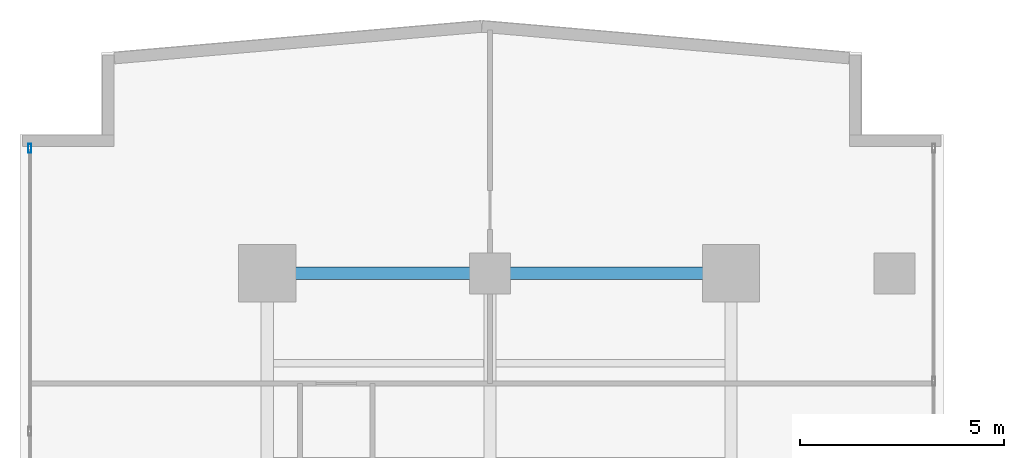
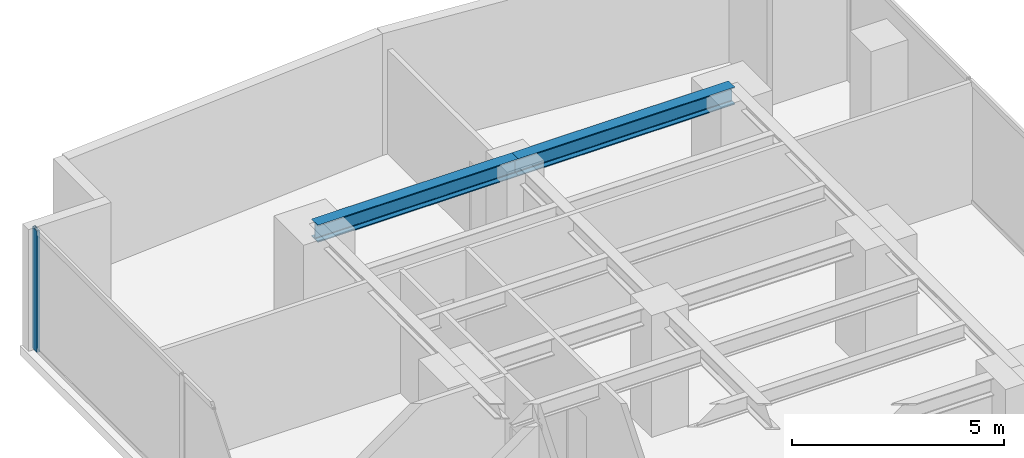
# One storey, part 16 of 25: 2 beams, 1 member, 1 element without a shape of its own.
"""IFC4 building model written with IfcOpenShell, lengths in metres."""

from ifc_helpers import new_model, si_unit, direction, frame, origin, origin_with_axes, origin_2d, place, context, subcontext, project, spatial, hollow_rectangle, i_section, extrude, source, transform, mapped, material, layer, layer_set, material_profile, profile_set, type_object, element, aggregate, save


model = new_model("IFC4")

# Units and contexts
model_context = context("Model", 3, precision=1e-05, world=origin(), true_north=direction((0.0, 1.0)))
body_context = subcontext(model_context, "Body", "Model", "MODEL_VIEW")
ifc_project = project(units=[si_unit("LENGTHUNIT", "METRE"), si_unit("AREAUNIT", "SQUARE_METRE"), si_unit("VOLUMEUNIT", "CUBIC_METRE"), si_unit("PLANEANGLEUNIT", "RADIAN"), si_unit("MASSUNIT", "GRAM", prefix="KILO")], contexts=[model_context])

# Site, building, storey
site_placement = place(None, origin())
site = spatial("IfcSite", under=ifc_project, at=site_placement, CompositionType="ELEMENT")
building_placement = place(site_placement, origin())
building = spatial("IfcBuilding", under=site, at=building_placement, Name="Kolvaren Waterfront Exchange", CompositionType="ELEMENT")
storey_placement = place(building_placement, frame((0.0, 0.0, 106.89990234375)))
storey = spatial("IfcBuildingStorey", under=building, at=storey_placement, Name="L27", CompositionType="ELEMENT", Elevation=106.89990234375)

# Beams
ifc_material_1 = material(Name="Steel S355", Category="steel")
ifc_material_profile_1 = material_profile(ifc_material_1, i_section(OverallWidth=0.300048828125, OverallDepth=0.5, WebThickness=0.014404296875, FlangeThickness=0.028076171875, FilletRadius=0.027099609375, at=origin_2d()), Name="HEB500")
ifc_profile_set_1 = profile_set([ifc_material_profile_1], Name="Steel S355")
beam_type = type_object("IfcBeamType", Name="STR-BM-HEB500", PredefinedType="BEAM", material=ifc_profile_set_1)
beam_1_placement = place(storey_placement, frame((7.449951171875, 44.60009765625, 3.25), z_axis=(1.0, 0.0, 0.0), x_axis=(0.0, 1.0, 0.0)))
element("IfcBeam", 1, at=beam_1_placement, inside=storey, type_object=beam_type, Name="L27 north-arm girder 4A", PredefinedType="BEAM", context=body_context, shape_type="SweptSolid", body=[
    extrude(i_section(OverallWidth=0.300048828125, OverallDepth=0.5, WebThickness=0.014404296875, FlangeThickness=0.028076171875, FilletRadius=0.027099609375, at=origin_2d()), origin(), (0.0, 0.0, 1.0), 5.449951171875),
])
beam_2_placement = place(storey_placement, frame((12.89990234375, 44.60009765625, 3.25), z_axis=(1.0, 0.0, 0.0), x_axis=(0.0, 1.0, 0.0)))
element("IfcBeam", 2, at=beam_2_placement, inside=storey, type_object=beam_type, Name="L27 north-arm girder 4B", PredefinedType="BEAM", context=body_context, shape_type="SweptSolid", body=[
    extrude(i_section(OverallWidth=0.300048828125, OverallDepth=0.5, WebThickness=0.014404296875, FlangeThickness=0.028076171875, FilletRadius=0.027099609375, at=origin_2d()), origin(), (0.0, 0.0, 1.0), 5.900146484375),
])

# Curtain wall, member
ifc_material_2 = material(Name="Anodised aluminium 6063-T6", Category="aluminium")
ifc_layer = layer(ifc_material_2, 0.219970703125, Name="Anodised aluminium 6063-T6")
ifc_layer_set = layer_set([ifc_layer], Name="Anodised aluminium 6063-T6")
curtain_wall_type = type_object("IfcCurtainWallType", Name="ARC-CW-SYS2", PredefinedType="USERDEFINED", material=ifc_layer_set)
curtain_wall_placement = place(storey_placement, origin())
curtain_wall = element("IfcCurtainWall", 3, at=curtain_wall_placement, inside=storey, type_object=curtain_wall_type, Name="L27 stick curtain wall CW2 (CW-L27-W)", ObjectType="STICK CURTAIN WALL", PredefinedType="USERDEFINED")
ifc_material_profile_2 = material_profile(ifc_material_2, hollow_rectangle(XDim=0.080078125, YDim=0.219970703125, WallThickness=0.0048828125, at=origin_2d()), Name="ALU-MUL-220x80x5")
ifc_profile_set_2 = profile_set([ifc_material_profile_2], Name="Anodised aluminium 6063-T6")
member_type = type_object("IfcMemberType", Name="ARC-CWM-220", PredefinedType="MULLION", material=ifc_profile_set_2)
shared_shape = source(origin_with_axes(), body_context, "Body", "SweptSolid", [
    extrude(hollow_rectangle(XDim=0.080078125, YDim=0.219970703125, WallThickness=0.0048828125, at=origin_2d()), origin(), (0.0, 0.0, 1.0), 3.5),
])
member_placement = place(storey_placement, frame((1.639892578125, 47.659912109375, 0.0), z_axis=(0.0, 0.0, 1.0), x_axis=(-1.0, 0.0, 0.0)))
member = element("IfcMember", 4, at=member_placement, type_object=member_type, Name="CW2 mullion 7", PredefinedType="MULLION", context=body_context, shape_type="MappedRepresentation", body=[
    mapped(shared_shape, transform((0.0, 0.0, 0.0), x_axis=(1.0, 0.0, 0.0), y_axis=(0.0, 1.0, 0.0), z_axis=(0.0, 0.0, 1.0), scale=1.0)),
])
aggregate(curtain_wall, [member])

save(model, "model.ifc")
